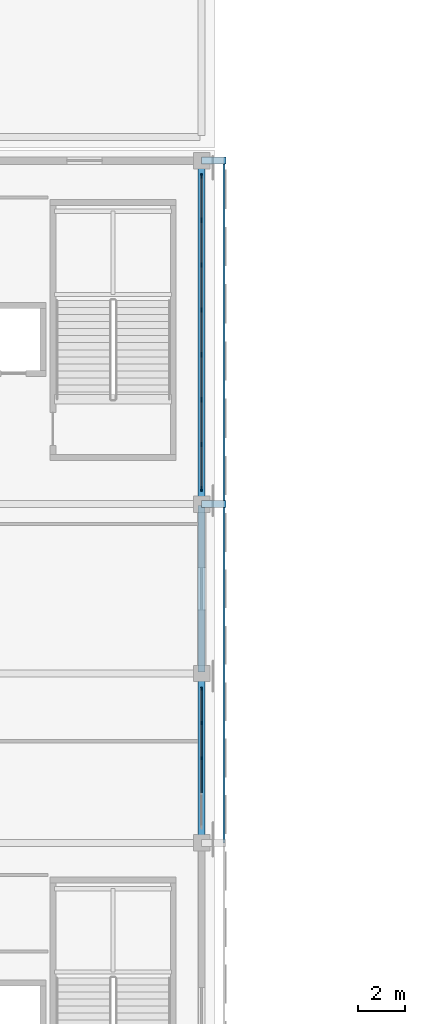
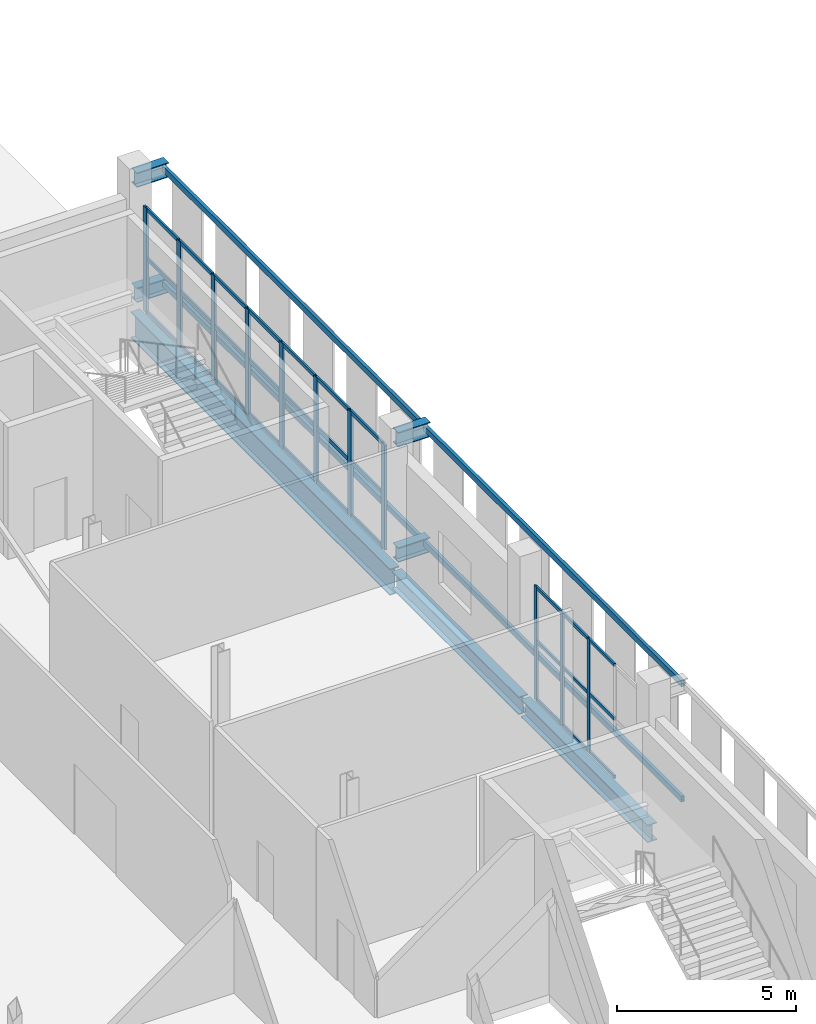
# One storey, part 50 of 104: 45 members, 7 beams, 2 elements without a shape of their own.
"""IFC4 building model written with IfcOpenShell, lengths in metres."""

from ifc_helpers import new_model, si_unit, direction, frame, origin, origin_2d, place, context, subcontext, project, spatial, rectangle, hollow_rectangle, i_section, extrude, material, material_profile, profile_set, type_object, element, aggregate, save


model = new_model("IFC4")

# Units and contexts
model_context = context("Model", 3, precision=1e-05, world=origin(), true_north=direction((0.0, 1.0)))
body_context = subcontext(model_context, "Body", "Model", "MODEL_VIEW")
ifc_project = project(units=[si_unit("LENGTHUNIT", "METRE"), si_unit("AREAUNIT", "SQUARE_METRE"), si_unit("VOLUMEUNIT", "CUBIC_METRE"), si_unit("PLANEANGLEUNIT", "RADIAN"), si_unit("MASSUNIT", "GRAM", prefix="KILO")], contexts=[model_context])

# Site, building, storey
site_placement = place(None, origin())
site = spatial("IfcSite", under=ifc_project, at=site_placement, CompositionType="ELEMENT")
building_placement = place(site_placement, origin())
building = spatial("IfcBuilding", under=site, at=building_placement, Name="Koshinbarg Plaza Stadium", CompositionType="ELEMENT")
storey_placement = place(building_placement, frame((0.0, 0.0, 19.800048828125)))
storey = spatial("IfcBuildingStorey", under=building, at=storey_placement, Name="L04", CompositionType="ELEMENT", Elevation=19.800048828125)

# Beams
ifc_material_1 = material(Name="Steel S355", Category="steel")
ifc_material_profile_1 = material_profile(ifc_material_1, i_section(OverallWidth=0.300048828125, OverallDepth=0.5, WebThickness=0.014404296875, FlangeThickness=0.028076171875, at=origin_2d()), Name="HEB 500")
ifc_profile_set_1 = profile_set([ifc_material_profile_1], Name="Steel S355")
beam_type_1 = type_object("IfcBeamType", Name="BM-CANOPY-CANT", PredefinedType="BEAM", material=ifc_profile_set_1)
for number, where, z_axis, x_axis, name in (
    (1, (218.39990234375, 111.89990234375, 0.25), (1.0, 0.0, 0.0), (0.0, 1.0, 0.0), "Outer screen cantilever outrigger E-L04-Y07"),
    (2, (218.39990234375, 111.89990234375, 4.179931640625), (1.0, 0.0, 0.0), (0.0, 1.0, 0.0), "Outer screen cantilever outrigger E-L04-Y07"),
    (3, (218.39990234375, 126.5, 0.25), (1.0, 0.0, 0.0), (0.0, 1.0, 0.0), "Outer screen cantilever outrigger E-L04-Y08"),
    (4, (218.39990234375, 126.5, 4.179931640625), (1.0, 0.0, 0.0), (0.0, 1.0, 0.0), "Outer screen cantilever outrigger E-L04-Y08"),
):
    element("IfcBeam", number, at=place(storey_placement, frame(where, z_axis=z_axis, x_axis=x_axis)), inside=storey, type_object=beam_type_1, Name=name, PredefinedType="BEAM", context=body_context, shape_type="SweptSolid", body=[
        extrude(i_section(OverallWidth=0.300048828125, OverallDepth=0.5, WebThickness=0.014404296875, FlangeThickness=0.028076171875, at=origin_2d()), origin(), (0.0, 0.0, 1.0), 1.030029296875),
    ])
ifc_material_profile_2 = material_profile(ifc_material_1, i_section(OverallWidth=0.300048828125, OverallDepth=0.60009765625, WebThickness=0.015380859375, FlangeThickness=0.030029296875, at=origin_2d()), Name="HEB 600")
ifc_profile_set_2 = profile_set([ifc_material_profile_2], Name="Steel S355")
beam_type_2 = type_object("IfcBeamType", Name="BM-SGIR-02", PredefinedType="USERDEFINED", material=ifc_profile_set_2)
beam_1_placement = place(storey_placement, frame((218.39990234375, 97.56005859375, -0.60009765625), z_axis=(0.0, 1.0, 0.0), x_axis=(-1.0, 0.0, 0.0)))
element("IfcBeam", 5, at=beam_1_placement, inside=storey, type_object=beam_type_2, Name="L04 Y girder 21/N-P", ObjectType="GIRDER", PredefinedType="USERDEFINED", context=body_context, shape_type="SweptSolid", body=[
    extrude(i_section(OverallWidth=0.300048828125, OverallDepth=0.60009765625, WebThickness=0.015380859375, FlangeThickness=0.030029296875, at=origin_2d()), origin(), (0.0, 0.0, 1.0), 7.079833984375),
])
beam_2_placement = place(storey_placement, frame((218.39990234375, 104.760009765625, -0.60009765625), z_axis=(0.0, 1.0, 0.0), x_axis=(-1.0, 0.0, 0.0)))
element("IfcBeam", 6, at=beam_2_placement, inside=storey, type_object=beam_type_2, Name="L04 Y girder 21/P-Q", ObjectType="GIRDER", PredefinedType="USERDEFINED", context=body_context, shape_type="SweptSolid", body=[
    extrude(i_section(OverallWidth=0.300048828125, OverallDepth=0.60009765625, WebThickness=0.015380859375, FlangeThickness=0.030029296875, at=origin_2d()), origin(), (0.0, 0.0, 1.0), 7.080078125),
])
ifc_material_profile_3 = material_profile(ifc_material_1, i_section(OverallWidth=0.300048828125, OverallDepth=0.89990234375, WebThickness=0.0185546875, FlangeThickness=0.034912109375, at=origin_2d()), Name="HEB 900")
ifc_profile_set_3 = profile_set([ifc_material_profile_3], Name="Steel S355")
beam_type_3 = type_object("IfcBeamType", Name="BM-SGIR-05", PredefinedType="USERDEFINED", material=ifc_profile_set_3)
beam_3_placement = place(storey_placement, frame((218.39990234375, 111.9599609375, -0.75), z_axis=(0.0, 1.0, 0.0), x_axis=(-1.0, 0.0, 0.0)))
element("IfcBeam", 7, at=beam_3_placement, inside=storey, type_object=beam_type_3, Name="L04 Y girder 21/Q-R", ObjectType="GIRDER", PredefinedType="USERDEFINED", context=body_context, shape_type="SweptSolid", body=[
    extrude(i_section(OverallWidth=0.300048828125, OverallDepth=0.89990234375, WebThickness=0.0185546875, FlangeThickness=0.034912109375, at=origin_2d()), origin(), (0.0, 0.0, 1.0), 14.47998046875),
])

# Curtain wall, members
ifc_material_2 = material(Name="Thermally broken anodised aluminium and low-E double glazing", Category="aluminium")
curtain_wall_type_1 = type_object("IfcCurtainWallType", Name="CW-SYS-05", PredefinedType="NOTDEFINED", material=ifc_material_2)
curtain_wall_1_placement = place(storey_placement, origin())
curtain_wall_1 = element("IfcCurtainWall", 8, at=curtain_wall_1_placement, inside=storey, type_object=curtain_wall_type_1, Name="L04 unitised curtain wall CW-L04-100", PredefinedType="NOTDEFINED")
ifc_material_3 = material(Name="Anodised aluminium mullion", Category="aluminium")
ifc_material_profile_4 = material_profile(ifc_material_3, rectangle(XDim=0.06005859375, YDim=0.139892578125, at=origin_2d()), Name="ALU 60x140")
ifc_profile_set_4 = profile_set([ifc_material_profile_4], Name="Anodised aluminium mullion")
member_type_1 = type_object("IfcMemberType", Name="CW-MUL-01", PredefinedType="MULLION", material=ifc_profile_set_4)
member_1_placement = place(storey_placement, frame((218.39990234375, 104.050048828125, 0.0), z_axis=(0.0, 0.0, 1.0), x_axis=(1.0, 0.0, 0.0)))
member_1 = element("IfcMember", 9, at=member_1_placement, type_object=member_type_1, Name="CW05 mullion 1", PredefinedType="MULLION", context=body_context, shape_type="SweptSolid", body=[
    extrude(rectangle(XDim=0.06005859375, YDim=0.139892578125, at=origin_2d()), origin(), (0.0, 0.0, 1.0), 3.8798828125),
])
member_2_placement = place(storey_placement, frame((218.39990234375, 102.590087890625, 0.0), z_axis=(0.0, 0.0, 1.0), x_axis=(1.0, 0.0, 0.0)))
member_2 = element("IfcMember", 10, at=member_2_placement, type_object=member_type_1, Name="CW05 mullion 2", PredefinedType="MULLION", context=body_context, shape_type="SweptSolid", body=[
    extrude(rectangle(XDim=0.06005859375, YDim=0.139892578125, at=origin_2d()), origin(), (0.0, 0.0, 1.0), 3.8798828125),
])
member_3_placement = place(storey_placement, frame((218.39990234375, 101.10009765625, 0.0), z_axis=(0.0, 0.0, 1.0), x_axis=(1.0, 0.0, 0.0)))
member_3 = element("IfcMember", 11, at=member_3_placement, type_object=member_type_1, Name="CW05 mullion 3", PredefinedType="MULLION", context=body_context, shape_type="SweptSolid", body=[
    extrude(rectangle(XDim=0.06005859375, YDim=0.139892578125, at=origin_2d()), origin(), (0.0, 0.0, 1.0), 3.8798828125),
])

curtain_wall_type_2 = type_object("IfcCurtainWallType", Name="CW-SYS-04", PredefinedType="NOTDEFINED", material=ifc_material_2)
curtain_wall_2_placement = place(storey_placement, origin())
curtain_wall_2 = element("IfcCurtainWall", 12, at=curtain_wall_2_placement, inside=storey, type_object=curtain_wall_type_2, Name="L04 unitised curtain wall CW-L04-099", PredefinedType="NOTDEFINED")
ifc_material_profile_5 = material_profile(ifc_material_3, rectangle(XDim=0.070068359375, YDim=0.199951171875, at=origin_2d()), Name="ALU 70x200")
ifc_profile_set_5 = profile_set([ifc_material_profile_5], Name="Anodised aluminium mullion")
member_type_2 = type_object("IfcMemberType", Name="CW-MUL-04", PredefinedType="MULLION", material=ifc_profile_set_5)
member_4_placement = place(storey_placement, frame((218.39990234375, 125.85009765625, 0.0), z_axis=(0.0, 0.0, 1.0), x_axis=(1.0, 0.0, 0.0)))
member_4 = element("IfcMember", 13, at=member_4_placement, type_object=member_type_2, Name="CW04 mullion 1", PredefinedType="MULLION", context=body_context, shape_type="SweptSolid", body=[
    extrude(rectangle(XDim=0.070068359375, YDim=0.199951171875, at=origin_2d()), origin(), (0.0, 0.0, 1.0), 3.579833984375),
])
member_5_placement = place(storey_placement, frame((218.39990234375, 123.971435546875, 0.0), z_axis=(0.0, 0.0, 1.0), x_axis=(1.0, 0.0, 0.0)))
member_5 = element("IfcMember", 14, at=member_5_placement, type_object=member_type_2, Name="CW04 mullion 2", PredefinedType="MULLION", context=body_context, shape_type="SweptSolid", body=[
    extrude(rectangle(XDim=0.070068359375, YDim=0.199951171875, at=origin_2d()), origin(), (0.0, 0.0, 1.0), 3.579833984375),
])
member_6_placement = place(storey_placement, frame((218.39990234375, 122.062744140625, 0.0), z_axis=(0.0, 0.0, 1.0), x_axis=(1.0, 0.0, 0.0)))
member_6 = element("IfcMember", 15, at=member_6_placement, type_object=member_type_2, Name="CW04 mullion 3", PredefinedType="MULLION", context=body_context, shape_type="SweptSolid", body=[
    extrude(rectangle(XDim=0.070068359375, YDim=0.199951171875, at=origin_2d()), origin(), (0.0, 0.0, 1.0), 3.579833984375),
])
member_7_placement = place(storey_placement, frame((218.39990234375, 120.154296875, 0.0), z_axis=(0.0, 0.0, 1.0), x_axis=(1.0, 0.0, 0.0)))
member_7 = element("IfcMember", 16, at=member_7_placement, type_object=member_type_2, Name="CW04 mullion 4", PredefinedType="MULLION", context=body_context, shape_type="SweptSolid", body=[
    extrude(rectangle(XDim=0.070068359375, YDim=0.199951171875, at=origin_2d()), origin(), (0.0, 0.0, 1.0), 3.579833984375),
])
member_8_placement = place(storey_placement, frame((218.39990234375, 118.24560546875, 0.0), z_axis=(0.0, 0.0, 1.0), x_axis=(1.0, 0.0, 0.0)))
member_8 = element("IfcMember", 17, at=member_8_placement, type_object=member_type_2, Name="CW04 mullion 5", PredefinedType="MULLION", context=body_context, shape_type="SweptSolid", body=[
    extrude(rectangle(XDim=0.070068359375, YDim=0.199951171875, at=origin_2d()), origin(), (0.0, 0.0, 1.0), 3.579833984375),
])
member_9_placement = place(storey_placement, frame((218.39990234375, 116.337158203125, 0.0), z_axis=(0.0, 0.0, 1.0), x_axis=(1.0, 0.0, 0.0)))
member_9 = element("IfcMember", 18, at=member_9_placement, type_object=member_type_2, Name="CW04 mullion 6", PredefinedType="MULLION", context=body_context, shape_type="SweptSolid", body=[
    extrude(rectangle(XDim=0.070068359375, YDim=0.199951171875, at=origin_2d()), origin(), (0.0, 0.0, 1.0), 3.579833984375),
])
member_10_placement = place(storey_placement, frame((218.39990234375, 114.428466796875, 0.0), z_axis=(0.0, 0.0, 1.0), x_axis=(1.0, 0.0, 0.0)))
member_10 = element("IfcMember", 19, at=member_10_placement, type_object=member_type_2, Name="CW04 mullion 7", PredefinedType="MULLION", context=body_context, shape_type="SweptSolid", body=[
    extrude(rectangle(XDim=0.070068359375, YDim=0.199951171875, at=origin_2d()), origin(), (0.0, 0.0, 1.0), 3.579833984375),
])
member_11_placement = place(storey_placement, frame((218.39990234375, 112.550048828125, 0.0), z_axis=(0.0, 0.0, 1.0), x_axis=(1.0, 0.0, 0.0)))
member_11 = element("IfcMember", 20, at=member_11_placement, type_object=member_type_2, Name="CW04 mullion 8", PredefinedType="MULLION", context=body_context, shape_type="SweptSolid", body=[
    extrude(rectangle(XDim=0.070068359375, YDim=0.199951171875, at=origin_2d()), origin(), (0.0, 0.0, 1.0), 3.579833984375),
])

# Member
ifc_material_4 = material(Name="Anodised aluminium transom", Category="aluminium")
ifc_material_profile_6 = material_profile(ifc_material_4, rectangle(XDim=0.06005859375, YDim=0.110107421875, at=origin_2d()), Name="ALU 60x110")
ifc_profile_set_6 = profile_set([ifc_material_profile_6], Name="Anodised aluminium transom")
member_type_3 = type_object("IfcMemberType", Name="CW-TRN-01", PredefinedType="USERDEFINED", material=ifc_profile_set_6)
member_12_placement = place(storey_placement, frame((218.39990234375, 104.02001953125, 0.030029296875), z_axis=(0.0, -1.0, 0.0), x_axis=(1.0, 0.0, 0.0)))
member_12 = element("IfcMember", 21, at=member_12_placement, type_object=member_type_3, Name="CW05 transom 1.1", ObjectType="TRANSOM", PredefinedType="USERDEFINED", context=body_context, shape_type="SweptSolid", body=[
    extrude(rectangle(XDim=0.06005859375, YDim=0.110107421875, at=origin_2d()), origin(), (0.0, 0.0, 1.0), 1.39990234375),
])

member_13_placement = place(storey_placement, frame((218.39990234375, 104.02001953125, 2.017578125), z_axis=(0.0, -1.0, 0.0), x_axis=(1.0, 0.0, 0.0)))
member_13 = element("IfcMember", 22, at=member_13_placement, type_object=member_type_3, Name="CW05 transom 1.2", ObjectType="TRANSOM", PredefinedType="USERDEFINED", context=body_context, shape_type="SweptSolid", body=[
    extrude(rectangle(XDim=0.06005859375, YDim=0.110107421875, at=origin_2d()), origin(), (0.0, 0.0, 1.0), 1.39990234375),
])

member_14_placement = place(storey_placement, frame((218.39990234375, 104.02001953125, 3.849853515625), z_axis=(0.0, -1.0, 0.0), x_axis=(1.0, 0.0, 0.0)))
member_14 = element("IfcMember", 23, at=member_14_placement, type_object=member_type_3, Name="CW05 transom 1.3", ObjectType="TRANSOM", PredefinedType="USERDEFINED", context=body_context, shape_type="SweptSolid", body=[
    extrude(rectangle(XDim=0.06005859375, YDim=0.110107421875, at=origin_2d()), origin(), (0.0, 0.0, 1.0), 1.39990234375),
])

member_15_placement = place(storey_placement, frame((218.39990234375, 102.56005859375, 0.030029296875), z_axis=(0.0, -1.0, 0.0), x_axis=(1.0, 0.0, 0.0)))
member_15 = element("IfcMember", 24, at=member_15_placement, type_object=member_type_3, Name="CW05 transom 2.1", ObjectType="TRANSOM", PredefinedType="USERDEFINED", context=body_context, shape_type="SweptSolid", body=[
    extrude(rectangle(XDim=0.06005859375, YDim=0.110107421875, at=origin_2d()), origin(), (0.0, 0.0, 1.0), 1.43017578125),
])

member_16_placement = place(storey_placement, frame((218.39990234375, 102.56005859375, 2.017578125), z_axis=(0.0, -1.0, 0.0), x_axis=(1.0, 0.0, 0.0)))
member_16 = element("IfcMember", 25, at=member_16_placement, type_object=member_type_3, Name="CW05 transom 2.2", ObjectType="TRANSOM", PredefinedType="USERDEFINED", context=body_context, shape_type="SweptSolid", body=[
    extrude(rectangle(XDim=0.06005859375, YDim=0.110107421875, at=origin_2d()), origin(), (0.0, 0.0, 1.0), 1.43017578125),
])

member_17_placement = place(storey_placement, frame((218.39990234375, 102.56005859375, 3.849853515625), z_axis=(0.0, -1.0, 0.0), x_axis=(1.0, 0.0, 0.0)))
member_17 = element("IfcMember", 26, at=member_17_placement, type_object=member_type_3, Name="CW05 transom 2.3", ObjectType="TRANSOM", PredefinedType="USERDEFINED", context=body_context, shape_type="SweptSolid", body=[
    extrude(rectangle(XDim=0.06005859375, YDim=0.110107421875, at=origin_2d()), origin(), (0.0, 0.0, 1.0), 1.43017578125),
])

member_18_placement = place(storey_placement, frame((218.39990234375, 101.070068359375, 0.030029296875), z_axis=(0.0, -1.0, 0.0), x_axis=(1.0, 0.0, 0.0)))
member_18 = element("IfcMember", 27, at=member_18_placement, type_object=member_type_3, Name="CW05 transom 3.1", ObjectType="TRANSOM", PredefinedType="USERDEFINED", context=body_context, shape_type="SweptSolid", body=[
    extrude(rectangle(XDim=0.06005859375, YDim=0.110107421875, at=origin_2d()), origin(), (0.0, 0.0, 1.0), 1.43017578125),
])

member_19_placement = place(storey_placement, frame((218.39990234375, 101.070068359375, 2.017578125), z_axis=(0.0, -1.0, 0.0), x_axis=(1.0, 0.0, 0.0)))
member_19 = element("IfcMember", 28, at=member_19_placement, type_object=member_type_3, Name="CW05 transom 3.2", ObjectType="TRANSOM", PredefinedType="USERDEFINED", context=body_context, shape_type="SweptSolid", body=[
    extrude(rectangle(XDim=0.06005859375, YDim=0.110107421875, at=origin_2d()), origin(), (0.0, 0.0, 1.0), 1.43017578125),
])

member_20_placement = place(storey_placement, frame((218.39990234375, 101.070068359375, 3.849853515625), z_axis=(0.0, -1.0, 0.0), x_axis=(1.0, 0.0, 0.0)))
member_20 = element("IfcMember", 29, at=member_20_placement, type_object=member_type_3, Name="CW05 transom 3.3", ObjectType="TRANSOM", PredefinedType="USERDEFINED", context=body_context, shape_type="SweptSolid", body=[
    extrude(rectangle(XDim=0.06005859375, YDim=0.110107421875, at=origin_2d()), origin(), (0.0, 0.0, 1.0), 1.43017578125),
])

aggregate(curtain_wall_1, [member_1, member_2, member_3, member_12, member_13, member_14, member_15, member_16, member_17, member_18, member_19, member_20])

ifc_material_profile_7 = material_profile(ifc_material_4, rectangle(XDim=0.06005859375, YDim=0.1298828125, at=origin_2d()), Name="ALU 60x130")
ifc_profile_set_7 = profile_set([ifc_material_profile_7], Name="Anodised aluminium transom")
member_type_4 = type_object("IfcMemberType", Name="CW-TRN-02", PredefinedType="USERDEFINED", material=ifc_profile_set_7)
member_21_placement = place(storey_placement, frame((218.39990234375, 125.820068359375, 0.030029296875), z_axis=(0.0, -1.0, 0.0), x_axis=(1.0, 0.0, 0.0)))
member_21 = element("IfcMember", 30, at=member_21_placement, type_object=member_type_4, Name="CW04 transom 1.1", ObjectType="TRANSOM", PredefinedType="USERDEFINED", context=body_context, shape_type="SweptSolid", body=[
    extrude(rectangle(XDim=0.06005859375, YDim=0.1298828125, at=origin_2d()), origin(), (0.0, 0.0, 1.0), 1.818603515625),
])

member_22_placement = place(storey_placement, frame((218.39990234375, 125.820068359375, 1.861572265625), z_axis=(0.0, -1.0, 0.0), x_axis=(1.0, 0.0, 0.0)))
member_22 = element("IfcMember", 31, at=member_22_placement, type_object=member_type_4, Name="CW04 transom 1.2", ObjectType="TRANSOM", PredefinedType="USERDEFINED", context=body_context, shape_type="SweptSolid", body=[
    extrude(rectangle(XDim=0.06005859375, YDim=0.1298828125, at=origin_2d()), origin(), (0.0, 0.0, 1.0), 1.818603515625),
])

member_23_placement = place(storey_placement, frame((218.39990234375, 125.820068359375, 3.550048828125), z_axis=(0.0, -1.0, 0.0), x_axis=(1.0, 0.0, 0.0)))
member_23 = element("IfcMember", 32, at=member_23_placement, type_object=member_type_4, Name="CW04 transom 1.3", ObjectType="TRANSOM", PredefinedType="USERDEFINED", context=body_context, shape_type="SweptSolid", body=[
    extrude(rectangle(XDim=0.06005859375, YDim=0.1298828125, at=origin_2d()), origin(), (0.0, 0.0, 1.0), 1.818603515625),
])

member_24_placement = place(storey_placement, frame((218.39990234375, 123.94140625, 0.030029296875), z_axis=(0.0, -1.0, 0.0), x_axis=(1.0, 0.0, 0.0)))
member_24 = element("IfcMember", 33, at=member_24_placement, type_object=member_type_4, Name="CW04 transom 2.1", ObjectType="TRANSOM", PredefinedType="USERDEFINED", context=body_context, shape_type="SweptSolid", body=[
    extrude(rectangle(XDim=0.06005859375, YDim=0.1298828125, at=origin_2d()), origin(), (0.0, 0.0, 1.0), 1.8486328125),
])

member_25_placement = place(storey_placement, frame((218.39990234375, 123.94140625, 1.861572265625), z_axis=(0.0, -1.0, 0.0), x_axis=(1.0, 0.0, 0.0)))
member_25 = element("IfcMember", 34, at=member_25_placement, type_object=member_type_4, Name="CW04 transom 2.2", ObjectType="TRANSOM", PredefinedType="USERDEFINED", context=body_context, shape_type="SweptSolid", body=[
    extrude(rectangle(XDim=0.06005859375, YDim=0.1298828125, at=origin_2d()), origin(), (0.0, 0.0, 1.0), 1.8486328125),
])

member_26_placement = place(storey_placement, frame((218.39990234375, 123.94140625, 3.550048828125), z_axis=(0.0, -1.0, 0.0), x_axis=(1.0, 0.0, 0.0)))
member_26 = element("IfcMember", 35, at=member_26_placement, type_object=member_type_4, Name="CW04 transom 2.3", ObjectType="TRANSOM", PredefinedType="USERDEFINED", context=body_context, shape_type="SweptSolid", body=[
    extrude(rectangle(XDim=0.06005859375, YDim=0.1298828125, at=origin_2d()), origin(), (0.0, 0.0, 1.0), 1.8486328125),
])

member_27_placement = place(storey_placement, frame((218.39990234375, 122.032958984375, 0.030029296875), z_axis=(0.0, -1.0, 0.0), x_axis=(1.0, 0.0, 0.0)))
member_27 = element("IfcMember", 36, at=member_27_placement, type_object=member_type_4, Name="CW04 transom 3.1", ObjectType="TRANSOM", PredefinedType="USERDEFINED", context=body_context, shape_type="SweptSolid", body=[
    extrude(rectangle(XDim=0.06005859375, YDim=0.1298828125, at=origin_2d()), origin(), (0.0, 0.0, 1.0), 1.8486328125),
])

member_28_placement = place(storey_placement, frame((218.39990234375, 122.032958984375, 1.861572265625), z_axis=(0.0, -1.0, 0.0), x_axis=(1.0, 0.0, 0.0)))
member_28 = element("IfcMember", 37, at=member_28_placement, type_object=member_type_4, Name="CW04 transom 3.2", ObjectType="TRANSOM", PredefinedType="USERDEFINED", context=body_context, shape_type="SweptSolid", body=[
    extrude(rectangle(XDim=0.06005859375, YDim=0.1298828125, at=origin_2d()), origin(), (0.0, 0.0, 1.0), 1.8486328125),
])

member_29_placement = place(storey_placement, frame((218.39990234375, 122.032958984375, 3.550048828125), z_axis=(0.0, -1.0, 0.0), x_axis=(1.0, 0.0, 0.0)))
member_29 = element("IfcMember", 38, at=member_29_placement, type_object=member_type_4, Name="CW04 transom 3.3", ObjectType="TRANSOM", PredefinedType="USERDEFINED", context=body_context, shape_type="SweptSolid", body=[
    extrude(rectangle(XDim=0.06005859375, YDim=0.1298828125, at=origin_2d()), origin(), (0.0, 0.0, 1.0), 1.8486328125),
])

member_30_placement = place(storey_placement, frame((218.39990234375, 120.124267578125, 0.030029296875), z_axis=(0.0, -1.0, 0.0), x_axis=(1.0, 0.0, 0.0)))
member_30 = element("IfcMember", 39, at=member_30_placement, type_object=member_type_4, Name="CW04 transom 4.1", ObjectType="TRANSOM", PredefinedType="USERDEFINED", context=body_context, shape_type="SweptSolid", body=[
    extrude(rectangle(XDim=0.06005859375, YDim=0.1298828125, at=origin_2d()), origin(), (0.0, 0.0, 1.0), 1.8486328125),
])

member_31_placement = place(storey_placement, frame((218.39990234375, 120.124267578125, 1.861572265625), z_axis=(0.0, -1.0, 0.0), x_axis=(1.0, 0.0, 0.0)))
member_31 = element("IfcMember", 40, at=member_31_placement, type_object=member_type_4, Name="CW04 transom 4.2", ObjectType="TRANSOM", PredefinedType="USERDEFINED", context=body_context, shape_type="SweptSolid", body=[
    extrude(rectangle(XDim=0.06005859375, YDim=0.1298828125, at=origin_2d()), origin(), (0.0, 0.0, 1.0), 1.8486328125),
])

member_32_placement = place(storey_placement, frame((218.39990234375, 120.124267578125, 3.550048828125), z_axis=(0.0, -1.0, 0.0), x_axis=(1.0, 0.0, 0.0)))
member_32 = element("IfcMember", 41, at=member_32_placement, type_object=member_type_4, Name="CW04 transom 4.3", ObjectType="TRANSOM", PredefinedType="USERDEFINED", context=body_context, shape_type="SweptSolid", body=[
    extrude(rectangle(XDim=0.06005859375, YDim=0.1298828125, at=origin_2d()), origin(), (0.0, 0.0, 1.0), 1.8486328125),
])

member_33_placement = place(storey_placement, frame((218.39990234375, 118.2158203125, 0.030029296875), z_axis=(0.0, -1.0, 0.0), x_axis=(1.0, 0.0, 0.0)))
member_33 = element("IfcMember", 42, at=member_33_placement, type_object=member_type_4, Name="CW04 transom 5.1", ObjectType="TRANSOM", PredefinedType="USERDEFINED", context=body_context, shape_type="SweptSolid", body=[
    extrude(rectangle(XDim=0.06005859375, YDim=0.1298828125, at=origin_2d()), origin(), (0.0, 0.0, 1.0), 1.8486328125),
])

member_34_placement = place(storey_placement, frame((218.39990234375, 118.2158203125, 1.861572265625), z_axis=(0.0, -1.0, 0.0), x_axis=(1.0, 0.0, 0.0)))
member_34 = element("IfcMember", 43, at=member_34_placement, type_object=member_type_4, Name="CW04 transom 5.2", ObjectType="TRANSOM", PredefinedType="USERDEFINED", context=body_context, shape_type="SweptSolid", body=[
    extrude(rectangle(XDim=0.06005859375, YDim=0.1298828125, at=origin_2d()), origin(), (0.0, 0.0, 1.0), 1.8486328125),
])

member_35_placement = place(storey_placement, frame((218.39990234375, 118.2158203125, 3.550048828125), z_axis=(0.0, -1.0, 0.0), x_axis=(1.0, 0.0, 0.0)))
member_35 = element("IfcMember", 44, at=member_35_placement, type_object=member_type_4, Name="CW04 transom 5.3", ObjectType="TRANSOM", PredefinedType="USERDEFINED", context=body_context, shape_type="SweptSolid", body=[
    extrude(rectangle(XDim=0.06005859375, YDim=0.1298828125, at=origin_2d()), origin(), (0.0, 0.0, 1.0), 1.8486328125),
])

member_36_placement = place(storey_placement, frame((218.39990234375, 116.30712890625, 0.030029296875), z_axis=(0.0, -1.0, 0.0), x_axis=(1.0, 0.0, 0.0)))
member_36 = element("IfcMember", 45, at=member_36_placement, type_object=member_type_4, Name="CW04 transom 6.1", ObjectType="TRANSOM", PredefinedType="USERDEFINED", context=body_context, shape_type="SweptSolid", body=[
    extrude(rectangle(XDim=0.06005859375, YDim=0.1298828125, at=origin_2d()), origin(), (0.0, 0.0, 1.0), 1.8486328125),
])

member_37_placement = place(storey_placement, frame((218.39990234375, 116.30712890625, 1.861572265625), z_axis=(0.0, -1.0, 0.0), x_axis=(1.0, 0.0, 0.0)))
member_37 = element("IfcMember", 46, at=member_37_placement, type_object=member_type_4, Name="CW04 transom 6.2", ObjectType="TRANSOM", PredefinedType="USERDEFINED", context=body_context, shape_type="SweptSolid", body=[
    extrude(rectangle(XDim=0.06005859375, YDim=0.1298828125, at=origin_2d()), origin(), (0.0, 0.0, 1.0), 1.8486328125),
])

member_38_placement = place(storey_placement, frame((218.39990234375, 116.30712890625, 3.550048828125), z_axis=(0.0, -1.0, 0.0), x_axis=(1.0, 0.0, 0.0)))
member_38 = element("IfcMember", 47, at=member_38_placement, type_object=member_type_4, Name="CW04 transom 6.3", ObjectType="TRANSOM", PredefinedType="USERDEFINED", context=body_context, shape_type="SweptSolid", body=[
    extrude(rectangle(XDim=0.06005859375, YDim=0.1298828125, at=origin_2d()), origin(), (0.0, 0.0, 1.0), 1.8486328125),
])

member_39_placement = place(storey_placement, frame((218.39990234375, 114.398681640625, 0.030029296875), z_axis=(0.0, -1.0, 0.0), x_axis=(1.0, 0.0, 0.0)))
member_39 = element("IfcMember", 48, at=member_39_placement, type_object=member_type_4, Name="CW04 transom 7.1", ObjectType="TRANSOM", PredefinedType="USERDEFINED", context=body_context, shape_type="SweptSolid", body=[
    extrude(rectangle(XDim=0.06005859375, YDim=0.1298828125, at=origin_2d()), origin(), (0.0, 0.0, 1.0), 1.818603515625),
])

member_40_placement = place(storey_placement, frame((218.39990234375, 114.398681640625, 1.861572265625), z_axis=(0.0, -1.0, 0.0), x_axis=(1.0, 0.0, 0.0)))
member_40 = element("IfcMember", 49, at=member_40_placement, type_object=member_type_4, Name="CW04 transom 7.2", ObjectType="TRANSOM", PredefinedType="USERDEFINED", context=body_context, shape_type="SweptSolid", body=[
    extrude(rectangle(XDim=0.06005859375, YDim=0.1298828125, at=origin_2d()), origin(), (0.0, 0.0, 1.0), 1.818603515625),
])

member_41_placement = place(storey_placement, frame((218.39990234375, 114.398681640625, 3.550048828125), z_axis=(0.0, -1.0, 0.0), x_axis=(1.0, 0.0, 0.0)))
member_41 = element("IfcMember", 50, at=member_41_placement, type_object=member_type_4, Name="CW04 transom 7.3", ObjectType="TRANSOM", PredefinedType="USERDEFINED", context=body_context, shape_type="SweptSolid", body=[
    extrude(rectangle(XDim=0.06005859375, YDim=0.1298828125, at=origin_2d()), origin(), (0.0, 0.0, 1.0), 1.818603515625),
])

aggregate(curtain_wall_2, [member_4, member_5, member_6, member_7, member_8, member_9, member_10, member_11, member_21, member_22, member_23, member_24, member_25, member_26, member_27, member_28, member_29, member_30, member_31, member_32, member_33, member_34, member_35, member_36, member_37, member_38, member_39, member_40, member_41])

# Members
ifc_material_profile_8 = material_profile(ifc_material_1, hollow_rectangle(XDim=0.10009765625, YDim=0.199951171875, WallThickness=0.008056640625, at=origin_2d()), Name="RHS 200x100x8")
ifc_profile_set_8 = profile_set([ifc_material_profile_8], Name="Steel S355")
member_type_5 = type_object("IfcMemberType", Name="MB-PURL-03", PredefinedType="PURLIN", material=ifc_profile_set_8)
for number, where, z_axis, x_axis, name in (
    (51, (219.35009765625, 97.5, 0.25), (0.0, 1.0, 0.0), (-1.0, 0.0, 0.0), "L04 outer screen subframe rail E-6-BOT"),
    (52, (219.35009765625, 97.5, 4.179931640625), (0.0, 1.0, 0.0), (-1.0, 0.0, 0.0), "L04 outer screen subframe rail E-6-TOP"),
):
    element("IfcMember", number, at=place(storey_placement, frame(where, z_axis=z_axis, x_axis=x_axis)), inside=storey, type_object=member_type_5, Name=name, PredefinedType="PURLIN", context=body_context, shape_type="SweptSolid", body=[
        extrude(hollow_rectangle(XDim=0.10009765625, YDim=0.199951171875, WallThickness=0.008056640625, at=origin_2d()), origin(), (0.0, 0.0, 1.0), 14.39990234375),
    ])
for number, where, z_axis, x_axis, name in (
    (53, (219.35009765625, 111.89990234375, 0.25), (0.0, 1.0, 0.0), (-1.0, 0.0, 0.0), "L04 outer screen subframe rail E-7-BOT"),
    (54, (219.35009765625, 111.89990234375, 4.179931640625), (0.0, 1.0, 0.0), (-1.0, 0.0, 0.0), "L04 outer screen subframe rail E-7-TOP"),
):
    element("IfcMember", number, at=place(storey_placement, frame(where, z_axis=z_axis, x_axis=x_axis)), inside=storey, type_object=member_type_5, Name=name, PredefinedType="PURLIN", context=body_context, shape_type="SweptSolid", body=[
        extrude(hollow_rectangle(XDim=0.10009765625, YDim=0.199951171875, WallThickness=0.008056640625, at=origin_2d()), origin(), (0.0, 0.0, 1.0), 14.60009765625),
    ])

save(model, "model.ifc")
